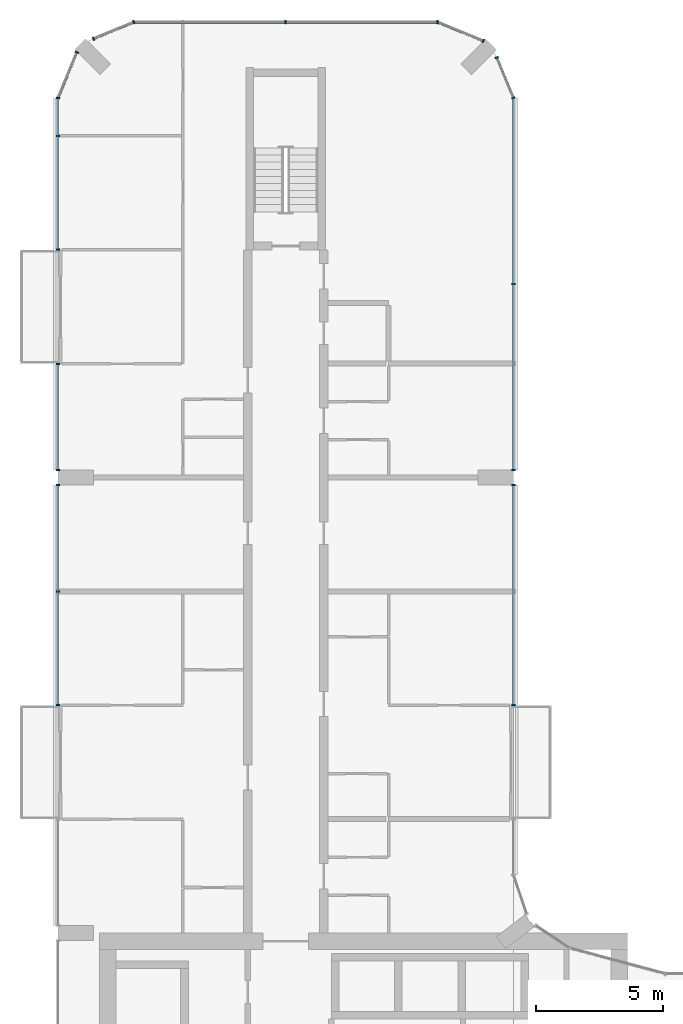
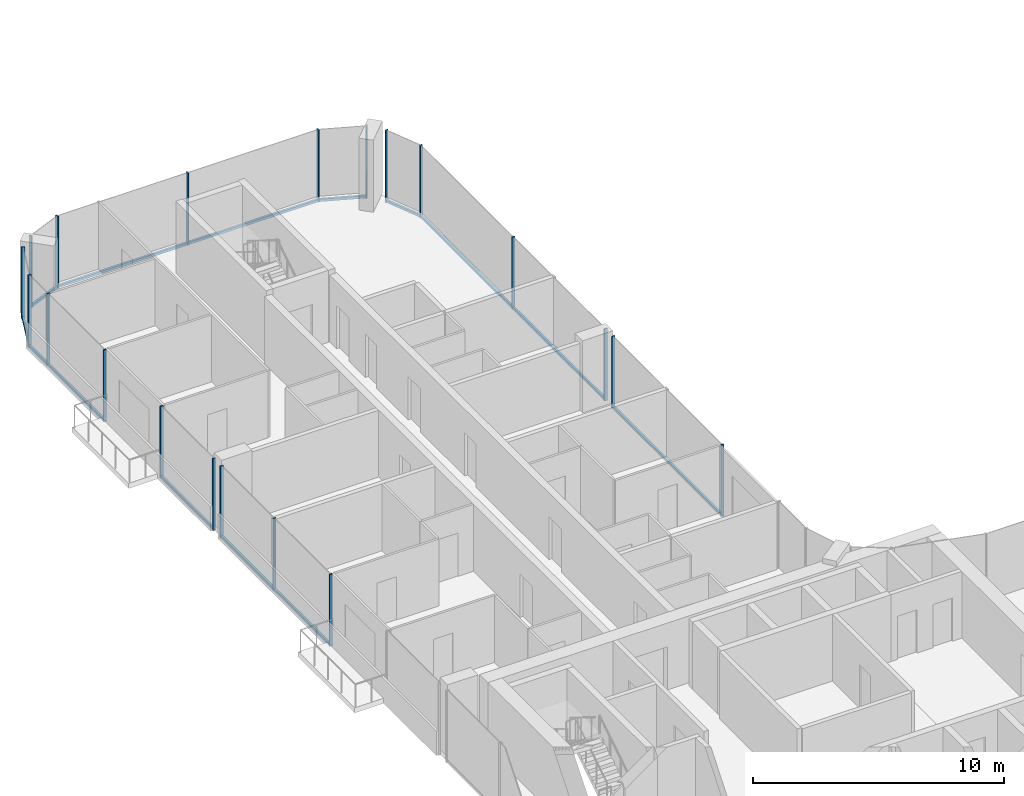
# One storey, part 6 of 22: 30 members, 10 elements without a shape of their own.
"""IFC4 building model written with IfcOpenShell, lengths in metres."""

from ifc_helpers import new_model, si_unit, direction, frame, origin, origin_2d, place, context, subcontext, project, spatial, rectangle, extrude, material, layer, layer_set, material_profile, profile_set, type_object, element, aggregate, save


model = new_model("IFC4")

# Units and contexts
model_context = context("Model", 3, precision=1e-05, world=origin(), true_north=direction((0.0, 1.0)))
body_context = subcontext(model_context, "Body", "Model", "MODEL_VIEW")
ifc_project = project(units=[si_unit("LENGTHUNIT", "METRE"), si_unit("AREAUNIT", "SQUARE_METRE"), si_unit("VOLUMEUNIT", "CUBIC_METRE"), si_unit("PLANEANGLEUNIT", "RADIAN"), si_unit("MASSUNIT", "GRAM", prefix="KILO")], contexts=[model_context])

# Site, building, storey
site_placement = place(None, origin())
site = spatial("IfcSite", under=ifc_project, at=site_placement, CompositionType="ELEMENT")
building_placement = place(site_placement, origin())
building = spatial("IfcBuilding", under=site, at=building_placement, Name="Plateau Cross Towers", CompositionType="ELEMENT")
storey_placement = place(building_placement, frame((0.0, 0.0, 113.300048828125)))
storey = spatial("IfcBuildingStorey", under=building, at=storey_placement, Name="L29", CompositionType="ELEMENT", Elevation=113.300048828125)

# Curtain wall, members
ifc_material_1 = material(Name="Dark low-iron glass", Category="glass")
ifc_layer = layer(ifc_material_1, 0.239990234375)
ifc_layer_set = layer_set([ifc_layer], Name="Dark low-iron glass")
curtain_wall_type = type_object("IfcCurtainWallType", Name="Curtain wall flush unitised CW-B", PredefinedType="NOTDEFINED", material=ifc_layer_set)
curtain_wall_1_placement = place(storey_placement, origin())
curtain_wall_1 = element("IfcCurtainWall", 1, at=curtain_wall_1_placement, inside=storey, type_object=curtain_wall_type, Name="ENV/A/L29/A180_270", PredefinedType="NOTDEFINED")
ifc_material_2 = material(Name="Black anodised aluminium", Category="aluminium")
ifc_material_profile_1 = material_profile(ifc_material_2, rectangle(XDim=0.06005859375, YDim=0.139892578125, at=origin_2d()), Name="MULLION 60x140")
ifc_profile_set_1 = profile_set([ifc_material_profile_1], Name="Black anodised aluminium")
member_type_1 = type_object("IfcMemberType", Name="Mullion 60x140 flush unitised", PredefinedType="MULLION", material=ifc_profile_set_1)
member_1_placement = place(storey_placement, frame((18.0, 27.010009765625, -0.25), z_axis=(0.0, 0.0, 1.0), x_axis=(0.0, 1.0, 0.0)))
member_1 = element("IfcMember", 2, at=member_1_placement, type_object=member_type_1, Name="CW-B mullion 1", PredefinedType="MULLION", context=body_context, shape_type="SweptSolid", body=[
    extrude(rectangle(XDim=0.06005859375, YDim=0.139892578125, at=origin_2d()), origin(), (0.0, 0.0, 1.0), 3.5),
])
member_2_placement = place(storey_placement, frame((18.0, 35.699951171875, -0.25), z_axis=(0.0, 0.0, 1.0), x_axis=(0.0, 1.0, 0.0)))
member_2 = element("IfcMember", 3, at=member_2_placement, type_object=member_type_1, Name="CW-B mullion 2", PredefinedType="MULLION", context=body_context, shape_type="SweptSolid", body=[
    extrude(rectangle(XDim=0.06005859375, YDim=0.139892578125, at=origin_2d()), origin(), (0.0, 0.0, 1.0), 3.5),
])

curtain_wall_2_placement = place(storey_placement, origin())
curtain_wall_2 = element("IfcCurtainWall", 4, at=curtain_wall_2_placement, inside=storey, type_object=curtain_wall_type, Name="ENV/A/L29/A180_363", PredefinedType="NOTDEFINED")
member_3_placement = place(storey_placement, frame((18.0, 36.300048828125, -0.25), z_axis=(0.0, 0.0, 1.0), x_axis=(0.0, 1.0, 0.0)))
member_3 = element("IfcMember", 5, at=member_3_placement, type_object=member_type_1, Name="CW-B mullion 1", PredefinedType="MULLION", context=body_context, shape_type="SweptSolid", body=[
    extrude(rectangle(XDim=0.06005859375, YDim=0.139892578125, at=origin_2d()), origin(), (0.0, 0.0, 1.0), 3.5),
])
member_4_placement = place(storey_placement, frame((18.0, 43.64990234375, -0.25), z_axis=(0.0, 0.0, 1.0), x_axis=(0.0, 1.0, 0.0)))
member_4 = element("IfcMember", 6, at=member_4_placement, type_object=member_type_1, Name="CW-B mullion 2", PredefinedType="MULLION", context=body_context, shape_type="SweptSolid", body=[
    extrude(rectangle(XDim=0.06005859375, YDim=0.139892578125, at=origin_2d()), origin(), (0.0, 0.0, 1.0), 3.5),
])

curtain_wall_3_placement = place(storey_placement, origin())
curtain_wall_3 = element("IfcCurtainWall", 7, at=curtain_wall_3_placement, inside=storey, type_object=curtain_wall_type, Name="ENV/A/L29/A180_510", PredefinedType="NOTDEFINED")
member_5_placement = place(storey_placement, frame((18.0, 51.0, -0.25), z_axis=(0.0, 0.0, 1.0), x_axis=(-0.382683612978, 0.923879457699, 0.0)))
member_5 = element("IfcMember", 8, at=member_5_placement, type_object=member_type_1, Name="CW-B mullion 1", PredefinedType="MULLION", context=body_context, shape_type="SweptSolid", body=[
    extrude(rectangle(XDim=0.06005859375, YDim=0.139892578125, at=origin_2d()), origin(), (0.0, 0.0, 1.0), 3.5),
])
member_6_placement = place(storey_placement, frame((17.338623046875, 52.5966796875, -0.25), z_axis=(0.0, 0.0, 1.0), x_axis=(-0.382683612978, 0.923879457699, 0.0)))
member_6 = element("IfcMember", 9, at=member_6_placement, type_object=member_type_1, Name="CW-B mullion 2", PredefinedType="MULLION", context=body_context, shape_type="SweptSolid", body=[
    extrude(rectangle(XDim=0.06005859375, YDim=0.139892578125, at=origin_2d()), origin(), (0.0, 0.0, 1.0), 3.5),
])

# Curtain wall, member
curtain_wall_4_placement = place(storey_placement, origin())
curtain_wall_4 = element("IfcCurtainWall", 10, at=curtain_wall_4_placement, inside=storey, type_object=curtain_wall_type, Name="ENV/A/L29/A168_533", PredefinedType="NOTDEFINED")
member_7_placement = place(storey_placement, frame((16.805908203125, 53.251953125, -0.25), z_axis=(0.0, 0.0, 1.0), x_axis=(-0.923879457699, 0.382683612978, 0.0)))
member_7 = element("IfcMember", 11, at=member_7_placement, type_object=member_type_1, Name="CW-B mullion 1", PredefinedType="MULLION", context=body_context, shape_type="SweptSolid", body=[
    extrude(rectangle(XDim=0.06005859375, YDim=0.139892578125, at=origin_2d()), origin(), (0.0, 0.0, 1.0), 3.5),
])

# Curtain wall, members
curtain_wall_5_placement = place(storey_placement, origin())
curtain_wall_5 = element("IfcCurtainWall", 12, at=curtain_wall_5_placement, inside=storey, type_object=curtain_wall_type, Name="ENV/A/L29/A150_540", PredefinedType="NOTDEFINED")
member_8_placement = place(storey_placement, frame((15.0, 54.0, -0.25), z_axis=(0.0, 0.0, 1.0), x_axis=(-1.0, 0.0, 0.0)))
member_8 = element("IfcMember", 13, at=member_8_placement, type_object=member_type_1, Name="CW-B mullion 1", PredefinedType="MULLION", context=body_context, shape_type="SweptSolid", body=[
    extrude(rectangle(XDim=0.06005859375, YDim=0.139892578125, at=origin_2d()), origin(), (0.0, 0.0, 1.0), 3.5),
])
member_9_placement = place(storey_placement, frame((9.0, 54.0, -0.25), z_axis=(0.0, 0.0, 1.0), x_axis=(-1.0, 0.0, 0.0)))
member_9 = element("IfcMember", 14, at=member_9_placement, type_object=member_type_1, Name="CW-B mullion 2", PredefinedType="MULLION", context=body_context, shape_type="SweptSolid", body=[
    extrude(rectangle(XDim=0.06005859375, YDim=0.139892578125, at=origin_2d()), origin(), (0.0, 0.0, 1.0), 3.5),
])

curtain_wall_6_placement = place(storey_placement, origin())
curtain_wall_6 = element("IfcCurtainWall", 15, at=curtain_wall_6_placement, inside=storey, type_object=curtain_wall_type, Name="ENV/A/L29/A30_540", PredefinedType="NOTDEFINED")
member_10_placement = place(storey_placement, frame((3.0, 54.0, -0.25), z_axis=(0.0, 0.0, 1.0), x_axis=(-0.923879457699, -0.382683612978, 0.0)))
member_10 = element("IfcMember", 16, at=member_10_placement, type_object=member_type_1, Name="CW-B mullion 1", PredefinedType="MULLION", context=body_context, shape_type="SweptSolid", body=[
    extrude(rectangle(XDim=0.06005859375, YDim=0.139892578125, at=origin_2d()), origin(), (0.0, 0.0, 1.0), 3.5),
])
member_11_placement = place(storey_placement, frame((1.4033203125, 53.338623046875, -0.25), z_axis=(0.0, 0.0, 1.0), x_axis=(-0.923879457699, -0.382683612978, 0.0)))
member_11 = element("IfcMember", 17, at=member_11_placement, type_object=member_type_1, Name="CW-B mullion 2", PredefinedType="MULLION", context=body_context, shape_type="SweptSolid", body=[
    extrude(rectangle(XDim=0.06005859375, YDim=0.139892578125, at=origin_2d()), origin(), (0.0, 0.0, 1.0), 3.5),
])

# Curtain wall, member
curtain_wall_7_placement = place(storey_placement, origin())
curtain_wall_7 = element("IfcCurtainWall", 18, at=curtain_wall_7_placement, inside=storey, type_object=curtain_wall_type, Name="ENV/A/L29/A7_528", PredefinedType="NOTDEFINED")
member_12_placement = place(storey_placement, frame((0.748046875, 52.805908203125, -0.25), z_axis=(0.0, 0.0, 1.0), x_axis=(-0.382683612978, -0.923879457699, 0.0)))
member_12 = element("IfcMember", 19, at=member_12_placement, type_object=member_type_1, Name="CW-B mullion 1", PredefinedType="MULLION", context=body_context, shape_type="SweptSolid", body=[
    extrude(rectangle(XDim=0.06005859375, YDim=0.139892578125, at=origin_2d()), origin(), (0.0, 0.0, 1.0), 3.5),
])

# Curtain wall, members
curtain_wall_8_placement = place(storey_placement, origin())
curtain_wall_8 = element("IfcCurtainWall", 20, at=curtain_wall_8_placement, inside=storey, type_object=curtain_wall_type, Name="ENV/A/L29/A0_510", PredefinedType="NOTDEFINED")
member_13_placement = place(storey_placement, frame((0.0, 51.0, -0.25), z_axis=(0.0, 0.0, 1.0), x_axis=(0.0, -1.0, 0.0)))
member_13 = element("IfcMember", 21, at=member_13_placement, type_object=member_type_1, Name="CW-B mullion 1", PredefinedType="MULLION", context=body_context, shape_type="SweptSolid", body=[
    extrude(rectangle(XDim=0.06005859375, YDim=0.139892578125, at=origin_2d()), origin(), (0.0, 0.0, 1.0), 3.5),
])
member_14_placement = place(storey_placement, frame((0.0, 49.5, -0.25), z_axis=(0.0, 0.0, 1.0), x_axis=(0.0, -1.0, 0.0)))
member_14 = element("IfcMember", 22, at=member_14_placement, type_object=member_type_1, Name="CW-B mullion 2", PredefinedType="MULLION", context=body_context, shape_type="SweptSolid", body=[
    extrude(rectangle(XDim=0.06005859375, YDim=0.139892578125, at=origin_2d()), origin(), (0.0, 0.0, 1.0), 3.5),
])
member_15_placement = place(storey_placement, frame((0.0, 45.010009765625, -0.25), z_axis=(0.0, 0.0, 1.0), x_axis=(0.0, -1.0, 0.0)))
member_15 = element("IfcMember", 23, at=member_15_placement, type_object=member_type_1, Name="CW-B mullion 3", PredefinedType="MULLION", context=body_context, shape_type="SweptSolid", body=[
    extrude(rectangle(XDim=0.06005859375, YDim=0.139892578125, at=origin_2d()), origin(), (0.0, 0.0, 1.0), 3.5),
])

curtain_wall_9_placement = place(storey_placement, origin())
curtain_wall_9 = element("IfcCurtainWall", 24, at=curtain_wall_9_placement, inside=storey, type_object=curtain_wall_type, Name="ENV/A/L29/A0_405", PredefinedType="NOTDEFINED")
member_16_placement = place(storey_placement, frame((0.0, 40.489990234375, -0.25), z_axis=(0.0, 0.0, 1.0), x_axis=(0.0, -1.0, 0.0)))
member_16 = element("IfcMember", 25, at=member_16_placement, type_object=member_type_1, Name="CW-B mullion 1", PredefinedType="MULLION", context=body_context, shape_type="SweptSolid", body=[
    extrude(rectangle(XDim=0.06005859375, YDim=0.139892578125, at=origin_2d()), origin(), (0.0, 0.0, 1.0), 3.5),
])
member_17_placement = place(storey_placement, frame((0.0, 36.300048828125, -0.25), z_axis=(0.0, 0.0, 1.0), x_axis=(0.0, -1.0, 0.0)))
member_17 = element("IfcMember", 26, at=member_17_placement, type_object=member_type_1, Name="CW-B mullion 2", PredefinedType="MULLION", context=body_context, shape_type="SweptSolid", body=[
    extrude(rectangle(XDim=0.06005859375, YDim=0.139892578125, at=origin_2d()), origin(), (0.0, 0.0, 1.0), 3.5),
])

curtain_wall_10_placement = place(storey_placement, origin())
curtain_wall_10 = element("IfcCurtainWall", 27, at=curtain_wall_10_placement, inside=storey, type_object=curtain_wall_type, Name="ENV/A/L29/A0_357", PredefinedType="NOTDEFINED")
member_18_placement = place(storey_placement, frame((0.0, 35.699951171875, -0.25), z_axis=(0.0, 0.0, 1.0), x_axis=(0.0, -1.0, 0.0)))
member_18 = element("IfcMember", 28, at=member_18_placement, type_object=member_type_1, Name="CW-B mullion 1", PredefinedType="MULLION", context=body_context, shape_type="SweptSolid", body=[
    extrude(rectangle(XDim=0.06005859375, YDim=0.139892578125, at=origin_2d()), origin(), (0.0, 0.0, 1.0), 3.5),
])
member_19_placement = place(storey_placement, frame((0.0, 31.5, -0.25), z_axis=(0.0, 0.0, 1.0), x_axis=(0.0, -1.0, 0.0)))
member_19 = element("IfcMember", 29, at=member_19_placement, type_object=member_type_1, Name="CW-B mullion 2", PredefinedType="MULLION", context=body_context, shape_type="SweptSolid", body=[
    extrude(rectangle(XDim=0.06005859375, YDim=0.139892578125, at=origin_2d()), origin(), (0.0, 0.0, 1.0), 3.5),
])
member_20_placement = place(storey_placement, frame((0.0, 27.010009765625, -0.25), z_axis=(0.0, 0.0, 1.0), x_axis=(0.0, -1.0, 0.0)))
member_20 = element("IfcMember", 30, at=member_20_placement, type_object=member_type_1, Name="CW-B mullion 3", PredefinedType="MULLION", context=body_context, shape_type="SweptSolid", body=[
    extrude(rectangle(XDim=0.06005859375, YDim=0.139892578125, at=origin_2d()), origin(), (0.0, 0.0, 1.0), 3.5),
])

# Member
ifc_material_profile_2 = material_profile(ifc_material_2, rectangle(XDim=0.10009765625, YDim=0.1201171875, at=origin_2d()), Name="TRANSOM 100x120")
ifc_profile_set_2 = profile_set([ifc_material_profile_2], Name="Black anodised aluminium")
member_type_2 = type_object("IfcMemberType", Name="Transom 100x120 flush unitised", PredefinedType="USERDEFINED", material=ifc_profile_set_2)
member_21_placement = place(storey_placement, frame((18.0, 27.010009765625, -0.18994140625), z_axis=(0.0, 1.0, 0.0), x_axis=(-1.0, 0.0, 0.0)))
member_21 = element("IfcMember", 31, at=member_21_placement, type_object=member_type_2, Name="CW-B transom", ObjectType="TRANSOM", PredefinedType="USERDEFINED", context=body_context, shape_type="SweptSolid", body=[
    extrude(rectangle(XDim=0.10009765625, YDim=0.1201171875, at=origin_2d()), origin(), (0.0, 0.0, 1.0), 8.68994140625),
])

aggregate(curtain_wall_1, [member_1, member_2, member_21])

member_22_placement = place(storey_placement, frame((18.0, 36.300048828125, -0.18994140625), z_axis=(0.0, 1.0, 0.0), x_axis=(-1.0, 0.0, 0.0)))
member_22 = element("IfcMember", 32, at=member_22_placement, type_object=member_type_2, Name="CW-B transom", ObjectType="TRANSOM", PredefinedType="USERDEFINED", context=body_context, shape_type="SweptSolid", body=[
    extrude(rectangle(XDim=0.10009765625, YDim=0.1201171875, at=origin_2d()), origin(), (0.0, 0.0, 1.0), 14.699951171875),
])

aggregate(curtain_wall_2, [member_3, member_4, member_22])

member_23_placement = place(storey_placement, frame((18.0, 51.0, -0.18994140625), z_axis=(-0.382688653628, 0.923877369776, 0.0), x_axis=(-0.923877369776, -0.382688653628, 0.0)))
member_23 = element("IfcMember", 33, at=member_23_placement, type_object=member_type_2, Name="CW-B transom", ObjectType="TRANSOM", PredefinedType="USERDEFINED", context=body_context, shape_type="SweptSolid", body=[
    extrude(rectangle(XDim=0.10009765625, YDim=0.1201171875, at=origin_2d()), origin(), (0.0, 0.0, 1.0), 1.728271484375),
])

aggregate(curtain_wall_3, [member_5, member_6, member_23])

member_24_placement = place(storey_placement, frame((16.805908203125, 53.251953125, -0.18994140625), z_axis=(-0.92387678234, 0.382690071798, 0.0), x_axis=(-0.382690071798, -0.92387678234, 0.0)))
member_24 = element("IfcMember", 34, at=member_24_placement, type_object=member_type_2, Name="CW-B transom", ObjectType="TRANSOM", PredefinedType="USERDEFINED", context=body_context, shape_type="SweptSolid", body=[
    extrude(rectangle(XDim=0.10009765625, YDim=0.1201171875, at=origin_2d()), origin(), (0.0, 0.0, 1.0), 1.95458984375),
])

aggregate(curtain_wall_4, [member_7, member_24])

member_25_placement = place(storey_placement, frame((15.0, 54.0, -0.18994140625), z_axis=(-1.0, 0.0, 0.0), x_axis=(0.0, -1.0, 0.0)))
member_25 = element("IfcMember", 35, at=member_25_placement, type_object=member_type_2, Name="CW-B transom", ObjectType="TRANSOM", PredefinedType="USERDEFINED", context=body_context, shape_type="SweptSolid", body=[
    extrude(rectangle(XDim=0.10009765625, YDim=0.1201171875, at=origin_2d()), origin(), (0.0, 0.0, 1.0), 12.0),
])

aggregate(curtain_wall_5, [member_8, member_9, member_25])

member_26_placement = place(storey_placement, frame((3.0, 54.0, -0.18994140625), z_axis=(-0.923877369776, -0.382688653628, 0.0), x_axis=(0.382688653628, -0.923877369776, 0.0)))
member_26 = element("IfcMember", 36, at=member_26_placement, type_object=member_type_2, Name="CW-B transom", ObjectType="TRANSOM", PredefinedType="USERDEFINED", context=body_context, shape_type="SweptSolid", body=[
    extrude(rectangle(XDim=0.10009765625, YDim=0.1201171875, at=origin_2d()), origin(), (0.0, 0.0, 1.0), 1.728271484375),
])

aggregate(curtain_wall_6, [member_10, member_11, member_26])

member_27_placement = place(storey_placement, frame((0.748046875, 52.805908203125, -0.18994140625), z_axis=(-0.382690071798, -0.92387678234, 0.0), x_axis=(0.92387678234, -0.382690071798, 0.0)))
member_27 = element("IfcMember", 37, at=member_27_placement, type_object=member_type_2, Name="CW-B transom", ObjectType="TRANSOM", PredefinedType="USERDEFINED", context=body_context, shape_type="SweptSolid", body=[
    extrude(rectangle(XDim=0.10009765625, YDim=0.1201171875, at=origin_2d()), origin(), (0.0, 0.0, 1.0), 1.95458984375),
])

aggregate(curtain_wall_7, [member_12, member_27])

member_28_placement = place(storey_placement, frame((0.0, 51.0, -0.18994140625), z_axis=(0.0, -1.0, 0.0), x_axis=(1.0, 0.0, 0.0)))
member_28 = element("IfcMember", 38, at=member_28_placement, type_object=member_type_2, Name="CW-B transom", ObjectType="TRANSOM", PredefinedType="USERDEFINED", context=body_context, shape_type="SweptSolid", body=[
    extrude(rectangle(XDim=0.10009765625, YDim=0.1201171875, at=origin_2d()), origin(), (0.0, 0.0, 1.0), 5.989990234375),
])

aggregate(curtain_wall_8, [member_13, member_14, member_15, member_28])

member_29_placement = place(storey_placement, frame((0.0, 40.489990234375, -0.18994140625), z_axis=(0.0, -1.0, 0.0), x_axis=(1.0, 0.0, 0.0)))
member_29 = element("IfcMember", 39, at=member_29_placement, type_object=member_type_2, Name="CW-B transom", ObjectType="TRANSOM", PredefinedType="USERDEFINED", context=body_context, shape_type="SweptSolid", body=[
    extrude(rectangle(XDim=0.10009765625, YDim=0.1201171875, at=origin_2d()), origin(), (0.0, 0.0, 1.0), 4.18994140625),
])

aggregate(curtain_wall_9, [member_16, member_17, member_29])

member_30_placement = place(storey_placement, frame((0.0, 35.699951171875, -0.18994140625), z_axis=(0.0, -1.0, 0.0), x_axis=(1.0, 0.0, 0.0)))
member_30 = element("IfcMember", 40, at=member_30_placement, type_object=member_type_2, Name="CW-B transom", ObjectType="TRANSOM", PredefinedType="USERDEFINED", context=body_context, shape_type="SweptSolid", body=[
    extrude(rectangle(XDim=0.10009765625, YDim=0.1201171875, at=origin_2d()), origin(), (0.0, 0.0, 1.0), 8.68994140625),
])

aggregate(curtain_wall_10, [member_18, member_19, member_20, member_30])

save(model, "model.ifc")
